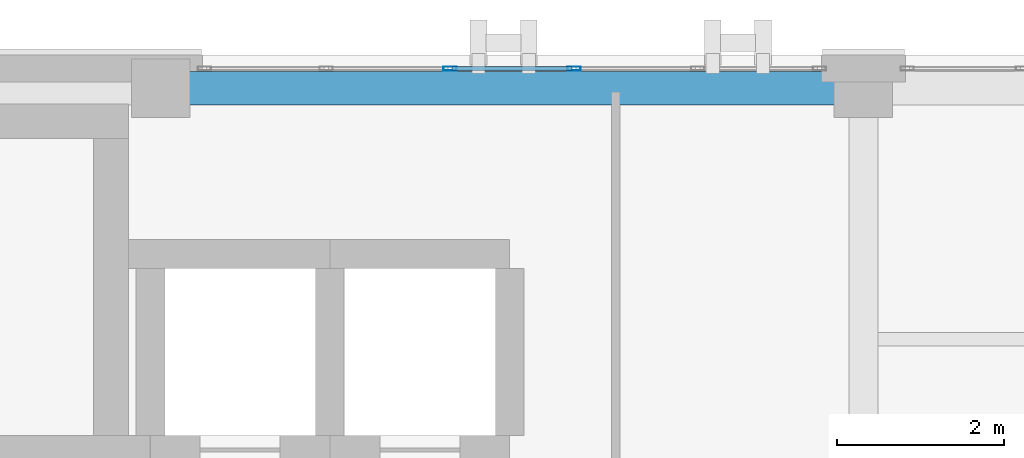
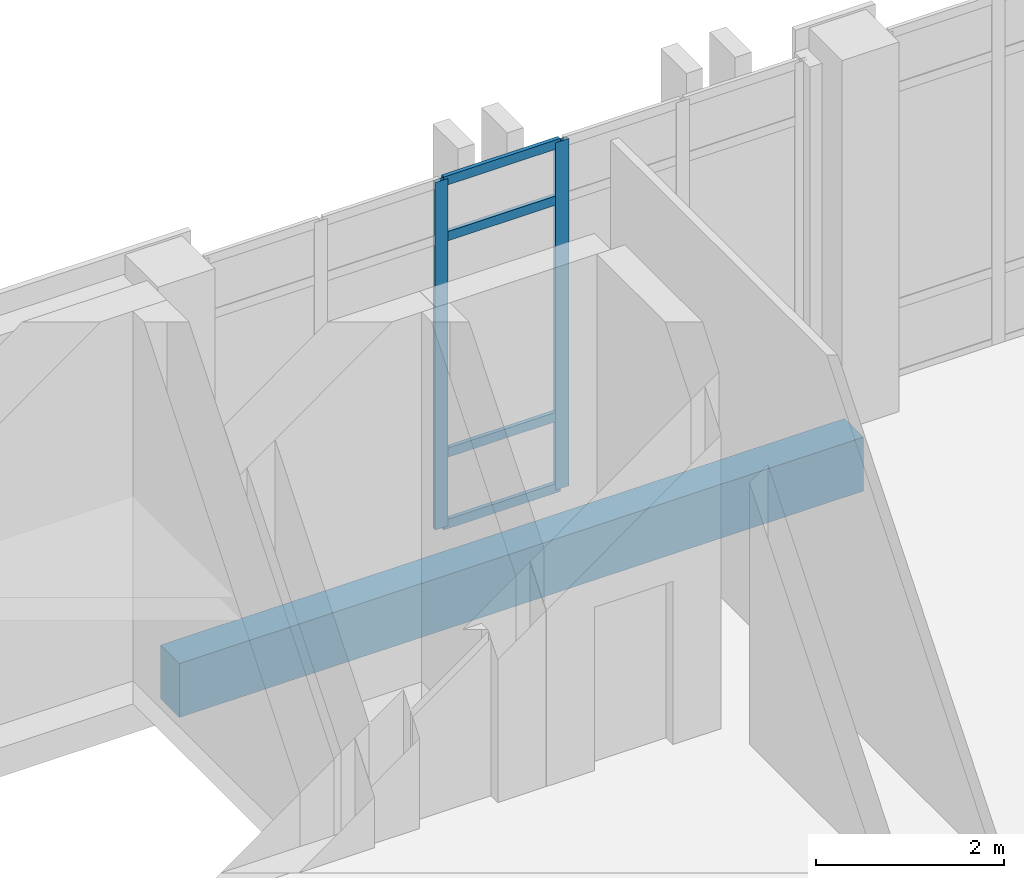
# One storey, part 92 of 189: 6 members, 1 beam, 1 element without a shape of its own.
"""IFC4 building model written with IfcOpenShell, lengths in metres."""

from ifc_helpers import new_model, si_unit, direction, frame, origin, origin_2d, place, context, subcontext, project, spatial, rectangle, hollow_rectangle, extrude, material, layer, layer_set, material_profile, profile_set, type_object, element, aggregate, save


model = new_model("IFC4")

# Units and contexts
model_context = context("Model", 3, precision=1e-05, world=origin(), true_north=direction((0.0, 1.0)))
body_context = subcontext(model_context, "Body", "Model", "MODEL_VIEW")
ifc_project = project(units=[si_unit("LENGTHUNIT", "METRE"), si_unit("AREAUNIT", "SQUARE_METRE"), si_unit("VOLUMEUNIT", "CUBIC_METRE"), si_unit("PLANEANGLEUNIT", "RADIAN"), si_unit("MASSUNIT", "GRAM", prefix="KILO")], contexts=[model_context])

# Site, building, storey
site_placement = place(None, origin())
site = spatial("IfcSite", under=ifc_project, at=site_placement, CompositionType="ELEMENT")
building_placement = place(site_placement, origin())
building = spatial("IfcBuilding", under=site, at=building_placement, Name="Qalavern Law Courts", CompositionType="ELEMENT")
storey_placement = place(building_placement, frame((0.0, 0.0, 5.39990234375)))
storey = spatial("IfcBuildingStorey", under=building, at=storey_placement, Name="L01", CompositionType="ELEMENT", Elevation=5.39990234375)

# Curtain wall, members
ifc_material_1 = material(Name="Anodised aluminium and insulated glazing", Category="aluminium")
ifc_layer = layer(ifc_material_1, 0.166015625)
ifc_layer_set = layer_set([ifc_layer], Name="Anodised aluminium and insulated glazing")
curtain_wall_type = type_object("IfcCurtainWallType", Name="ENV-CW-LIB", PredefinedType="USERDEFINED", material=ifc_layer_set)
curtain_wall_placement = place(storey_placement, origin())
curtain_wall = element("IfcCurtainWall", 1, at=curtain_wall_placement, inside=storey, type_object=curtain_wall_type, Name="V5 unitised curtain wall L01 north 5", ObjectType="UNITISED CURTAIN WALL", PredefinedType="USERDEFINED")
ifc_material_2 = material(Name="Anodised aluminium", Category="aluminium")
ifc_material_profile_1 = material_profile(ifc_material_2, hollow_rectangle(XDim=0.048095703125, YDim=0.159912109375, WallThickness=0.00390625, at=origin_2d()), Name="ALU MULLION 48x160")
ifc_profile_set_1 = profile_set([ifc_material_profile_1], Name="Anodised aluminium")
member_type_1 = type_object("IfcMemberType", Name="ENV-CWM-48x160", PredefinedType="MULLION", material=ifc_profile_set_1)
member_1_placement = place(storey_placement, frame((33.340087890625, 112.83740234375, 0.0), z_axis=(0.0, 0.0, 1.0), x_axis=(0.0, -1.0, 0.0)))
member_1 = element("IfcMember", 2, at=member_1_placement, type_object=member_type_1, Name="CW-05 mullion 3", PredefinedType="MULLION", context=body_context, shape_type="SweptSolid", body=[
    extrude(hollow_rectangle(XDim=0.048095703125, YDim=0.159912109375, WallThickness=0.00390625, at=origin_2d()), origin(), (0.0, 0.0, 1.0), 4.510009765625),
])
member_2_placement = place(storey_placement, frame((31.860107421875, 112.83740234375, 0.0), z_axis=(0.0, 0.0, 1.0), x_axis=(0.0, -1.0, 0.0)))
member_2 = element("IfcMember", 3, at=member_2_placement, type_object=member_type_1, Name="CW-05 mullion 4", PredefinedType="MULLION", context=body_context, shape_type="SweptSolid", body=[
    extrude(hollow_rectangle(XDim=0.048095703125, YDim=0.159912109375, WallThickness=0.00390625, at=origin_2d()), origin(), (0.0, 0.0, 1.0), 4.510009765625),
])
ifc_material_profile_2 = material_profile(ifc_material_2, hollow_rectangle(XDim=0.048095703125, YDim=0.1201171875, WallThickness=0.00390625, at=origin_2d()), Name="ALU TRANSOM 48x120")
ifc_profile_set_2 = profile_set([ifc_material_profile_2], Name="Anodised aluminium")
member_type_2 = type_object("IfcMemberType", Name="ENV-CWT-48x120", PredefinedType="USERDEFINED", material=ifc_profile_set_2)
member_3_placement = place(storey_placement, frame((33.31591796875, 112.83740234375, 0.024169921875), z_axis=(-1.0, 0.0, 0.0), x_axis=(0.0, -1.0, 0.0)))
member_3 = element("IfcMember", 4, at=member_3_placement, type_object=member_type_2, Name="CW-05 transom 3.1", ObjectType="TRANSOM", PredefinedType="USERDEFINED", context=body_context, shape_type="SweptSolid", body=[
    extrude(hollow_rectangle(XDim=0.048095703125, YDim=0.1201171875, WallThickness=0.00390625, at=origin_2d()), origin(), (0.0, 0.0, 1.0), 1.431884765625),
])
member_4_placement = place(storey_placement, frame((33.31591796875, 112.83740234375, 0.9501953125), z_axis=(-1.0, 0.0, 0.0), x_axis=(0.0, -1.0, 0.0)))
member_4 = element("IfcMember", 5, at=member_4_placement, type_object=member_type_2, Name="CW-05 transom 3.2", ObjectType="TRANSOM", PredefinedType="USERDEFINED", context=body_context, shape_type="SweptSolid", body=[
    extrude(hollow_rectangle(XDim=0.048095703125, YDim=0.1201171875, WallThickness=0.00390625, at=origin_2d()), origin(), (0.0, 0.0, 1.0), 1.431884765625),
])
member_5_placement = place(storey_placement, frame((33.31591796875, 112.83740234375, 3.760009765625), z_axis=(-1.0, 0.0, 0.0), x_axis=(0.0, -1.0, 0.0)))
member_5 = element("IfcMember", 6, at=member_5_placement, type_object=member_type_2, Name="CW-05 transom 3.3", ObjectType="TRANSOM", PredefinedType="USERDEFINED", context=body_context, shape_type="SweptSolid", body=[
    extrude(hollow_rectangle(XDim=0.048095703125, YDim=0.1201171875, WallThickness=0.00390625, at=origin_2d()), origin(), (0.0, 0.0, 1.0), 1.431884765625),
])
member_6_placement = place(storey_placement, frame((33.31591796875, 112.83740234375, 4.486083984375), z_axis=(-1.0, 0.0, 0.0), x_axis=(0.0, -1.0, 0.0)))
member_6 = element("IfcMember", 7, at=member_6_placement, type_object=member_type_2, Name="CW-05 transom 3.4", ObjectType="TRANSOM", PredefinedType="USERDEFINED", context=body_context, shape_type="SweptSolid", body=[
    extrude(hollow_rectangle(XDim=0.048095703125, YDim=0.1201171875, WallThickness=0.00390625, at=origin_2d()), origin(), (0.0, 0.0, 1.0), 1.431884765625),
])
aggregate(curtain_wall, [member_1, member_2, member_3, member_4, member_5, member_6])

# Beam
ifc_material_3 = material(Name="Concrete C40/50", Category="concrete")
ifc_material_profile_3 = material_profile(ifc_material_3, rectangle(XDim=0.39990234375, YDim=0.699951171875, at=origin_2d()), Name="RC 400x700")
ifc_profile_set_3 = profile_set([ifc_material_profile_3], Name="Concrete C40/50")
beam_type = type_object("IfcBeamType", Name="STR-SP-RC400x700", PredefinedType="SPANDREL", material=ifc_profile_set_3)
beam_placement = place(storey_placement, frame((28.39990234375, 112.60009765625, -0.64990234375), z_axis=(1.0, 0.0, 0.0), x_axis=(0.0, 1.0, 0.0)))
element("IfcBeam", 8, at=beam_placement, inside=storey, type_object=beam_type, Name="V5 X-beam 3-4 L01", PredefinedType="SPANDREL", context=body_context, shape_type="SweptSolid", body=[
    extrude(rectangle(XDim=0.39990234375, YDim=0.699951171875, at=origin_2d()), origin(), (0.0, 0.0, 1.0), 8.400146484375),
])

save(model, "model.ifc")
